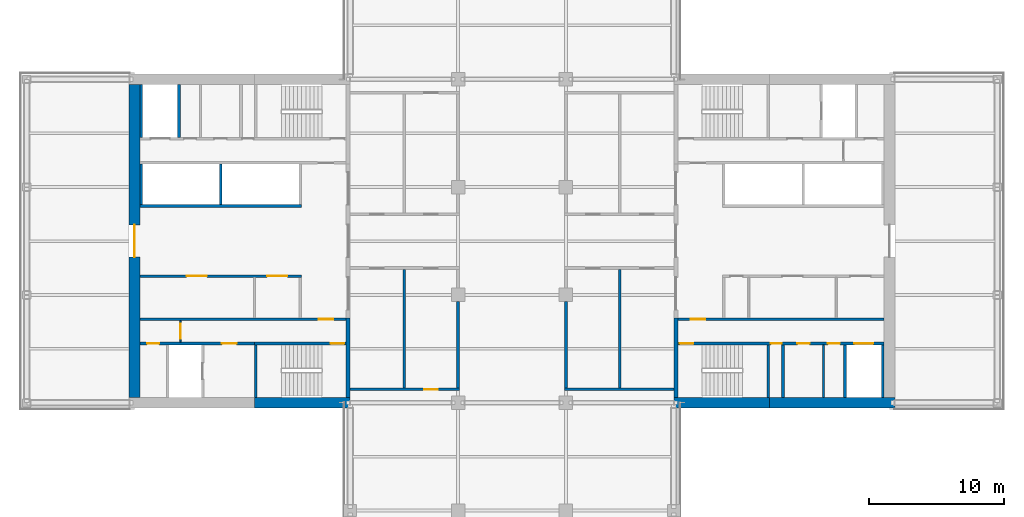
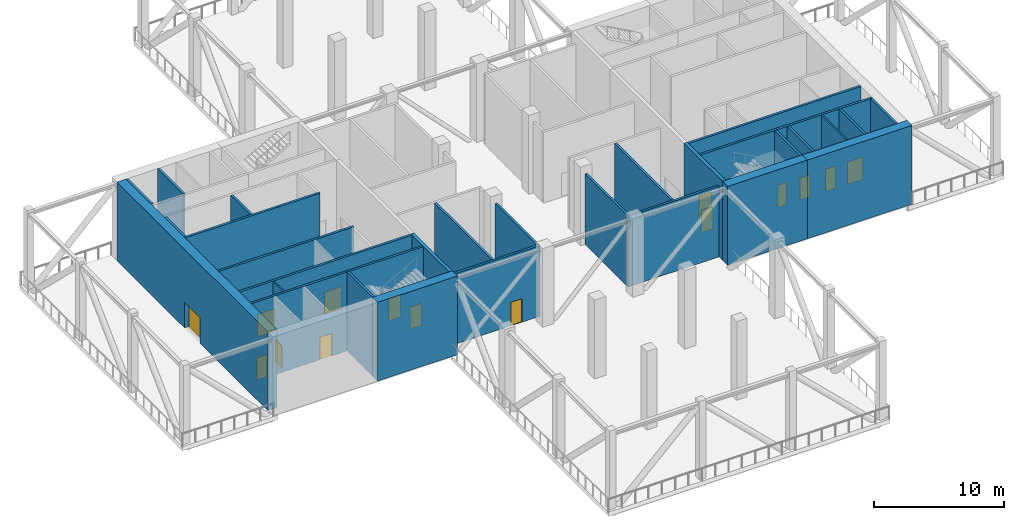
# One storey, part 4 of 18: 31 walls, 15 doors, 15 openings.
"""IFC4 building model written with IfcOpenShell, lengths in metres."""

from ifc_helpers import new_model, si_unit, direction, frame, frame_2d, origin, place, context, subcontext, project, spatial, rectangle, extrude, material, layer, layer_set, constituent, constituent_set, type_object, element, fill, save


model = new_model("IFC4")

# Units and contexts
model_context = context("Model", 3, precision=1e-05, world=origin(), true_north=direction((0.0, 1.0)))
body_context = subcontext(model_context, "Body", "Model", "MODEL_VIEW")
ifc_project = project(units=[si_unit("LENGTHUNIT", "METRE"), si_unit("AREAUNIT", "SQUARE_METRE"), si_unit("VOLUMEUNIT", "CUBIC_METRE"), si_unit("PLANEANGLEUNIT", "RADIAN"), si_unit("MASSUNIT", "GRAM", prefix="KILO")], contexts=[model_context])

# Site, building, storey
site_placement = place(None, origin())
site = spatial("IfcSite", under=ifc_project, at=site_placement, CompositionType="ELEMENT")
building_placement = place(site_placement, origin())
building = spatial("IfcBuilding", under=site, at=building_placement, Name="Crosswind Convention Tower", CompositionType="ELEMENT")
storey_placement = place(building_placement, frame((0.0, 0.0, 105.300048828125)))
storey = spatial("IfcBuildingStorey", under=building, at=storey_placement, Name="L21", CompositionType="ELEMENT", Elevation=105.300048828125)

# Wall
ifc_material_1 = material(Name="Concrete blockwork", Category="masonry")
ifc_layer_1 = layer(ifc_material_1, 0.199951171875)
ifc_layer_set_1 = layer_set([ifc_layer_1], Name="Blockwork partition wall 200")
wall_type_1 = type_object("IfcWallType", Name="Blockwork partition wall 200", PredefinedType="PARTITIONING", material=ifc_layer_set_1)
wall_1_placement = place(storey_placement, frame((145.10009765625, 88.39990234375, 0.0), z_axis=(0.0, 0.0, 1.0), x_axis=(0.0, 1.0, 0.0)))
element("IfcWall", 1, at=wall_1_placement, inside=storey, type_object=wall_type_1, Name="Wall MRSE E L21", PredefinedType="PARTITIONING", context=body_context, shape_type="SweptSolid", body=[
    extrude(rectangle(XDim=3.900146484375, YDim=0.199951171875, at=frame_2d((1.9501953125, 0.0))), origin(), (0.0, 0.0, 1.0), 7.39990234375),
])

# Wall, opening, door
ifc_layer_2 = layer(ifc_material_1, 0.199951171875)
ifc_layer_set_2 = layer_set([ifc_layer_2], Name="COMPARTMENT WALL 200")
wall_type_2 = type_object("IfcWallType", Name="COMPARTMENT WALL 200", PredefinedType="SOLIDWALL", material=ifc_layer_set_2)
wall_2_placement = place(storey_placement, frame((113.0, 89.0, 0.0), z_axis=(0.0, 0.0, 1.0), x_axis=(1.0, 0.0, 0.0)))
wall_2 = element("IfcWall", 2, at=wall_2_placement, inside=storey, type_object=wall_type_2, Name="Compartment Wall 1", PredefinedType="SOLIDWALL", context=body_context, shape_type="SweptSolid", body=[
    extrude(rectangle(XDim=8.10009765625, YDim=0.199951171875, at=frame_2d((4.050048828125, 0.0))), origin(), (0.0, 0.0, 1.0), 6.6396484375),
])
opening_1_placement = place(wall_2_placement, frame((5.5, 0.0, 0.0)))
opening_1 = element("IfcOpeningElement", 3, at=opening_1_placement, cuts=wall_2, Name="Opening 21.010", PredefinedType="OPENING", context=body_context, shape_type="SweptSolid", body=[
    extrude(rectangle(XDim=1.0, YDim=2.199951171875, at=frame_2d((0.5, 1.10009765625))), frame((0.0, 0.10986328125, 0.0), z_axis=(0.0, -1.0, 0.0), x_axis=(1.0, 0.0, 0.0)), (0.0, 0.0, 1.0), 0.219970703125),
])
ifc_material_2 = material(Name="Steel fire door", Category="steel")
door_type_1 = type_object("IfcDoorType", Name="PLANT ROOM DOOR 1000X2200", OperationType="NOTDEFINED", PredefinedType="DOOR", material=ifc_material_2)
door_1_placement = place(opening_1_placement, origin())
door_1 = element("IfcDoor", 4, at=door_1_placement, inside=storey, type_object=door_type_1, Name="Door 21.010", ObjectType="D6", OperationType="SINGLE_SWING_RIGHT", OverallHeight=2.199951171875, OverallWidth=1.0, PredefinedType="DOOR", context=body_context, shape_type="SweptSolid", body=[
    extrude(rectangle(XDim=1.0, YDim=2.199951171875, at=frame_2d((0.5, 1.10009765625))), frame((0.0, 0.02490234375, 0.0), z_axis=(0.0, -1.0, 0.0), x_axis=(1.0, 0.0, 0.0)), (0.0, 0.0, 1.0), 0.050048828125),
])
fill(opening_1, door_1)

# Walls
wall_3_placement = place(storey_placement, frame((128.89990234375, 89.0, 0.0), z_axis=(0.0, 0.0, 1.0), x_axis=(1.0, 0.0, 0.0)))
element("IfcWall", 5, at=wall_3_placement, inside=storey, type_object=wall_type_2, Name="Compartment Wall 2", PredefinedType="SOLIDWALL", context=body_context, shape_type="SweptSolid", body=[
    extrude(rectangle(XDim=8.10009765625, YDim=0.199951171875, at=frame_2d((4.050048828125, 0.0))), origin(), (0.0, 0.0, 1.0), 6.6396484375),
])
wall_4_placement = place(storey_placement, frame((117.0, 89.10009765625, 0.0), z_axis=(0.0, 0.0, 1.0), x_axis=(0.0, 1.0, 0.0)))
element("IfcWall", 6, at=wall_4_placement, inside=storey, type_object=wall_type_2, Name="Compartment Wall 9", PredefinedType="SOLIDWALL", context=body_context, shape_type="SweptSolid", body=[
    extrude(rectangle(XDim=8.7998046875, YDim=0.199951171875, at=frame_2d((4.39990234375, 0.0))), origin(), (0.0, 0.0, 1.0), 6.63623046875),
])
for number, where, z_axis, x_axis, name in (
    (7, (121.0, 89.10009765625, 0.0), (0.0, 0.0, 1.0), (0.0, 1.0, 0.0), "Compartment Wall 11"),
    (8, (129.0, 89.10009765625, 0.0), (0.0, 0.0, 1.0), (0.0, 1.0, 0.0), "Compartment Wall 15"),
):
    element("IfcWall", number, at=place(storey_placement, frame(where, z_axis=z_axis, x_axis=x_axis)), inside=storey, type_object=wall_type_2, Name=name, PredefinedType="SOLIDWALL", context=body_context, shape_type="SweptSolid", body=[
        extrude(rectangle(XDim=6.39990234375, YDim=0.199951171875, at=frame_2d((3.199951171875, 0.0))), origin(), (0.0, 0.0, 1.0), 6.6396484375),
    ])
wall_5_placement = place(storey_placement, frame((133.0, 89.10009765625, 0.0), z_axis=(0.0, 0.0, 1.0), x_axis=(0.0, 1.0, 0.0)))
element("IfcWall", 9, at=wall_5_placement, inside=storey, type_object=wall_type_2, Name="Compartment Wall 19", PredefinedType="SOLIDWALL", context=body_context, shape_type="SweptSolid", body=[
    extrude(rectangle(XDim=8.7998046875, YDim=0.199951171875, at=frame_2d((4.39990234375, 0.0))), origin(), (0.0, 0.0, 1.0), 6.63623046875),
])

# Wall, opening, door
ifc_material_3 = material(Name="Concrete C60/75", Category="concrete")
ifc_layer_3 = layer(ifc_material_3, 0.800048828125)
ifc_layer_set_3 = layer_set([ifc_layer_3], Name="Concrete C60/75")
wall_type_3 = type_object("IfcWallType", Name="Concrete core wall 800", PredefinedType="SHEAR", material=ifc_layer_set_3)
wall_6_placement = place(storey_placement, frame((97.0, 111.60009765625, 0.0), z_axis=(0.0, 0.0, 1.0), x_axis=(0.0, -1.0, 0.0)))
wall_6 = element("IfcWall", 10, at=wall_6_placement, inside=storey, type_object=wall_type_3, Name="Wall O W L21", PredefinedType="SHEAR", context=body_context, shape_type="SweptSolid", body=[
    extrude(rectangle(XDim=23.2001953125, YDim=0.800048828125, at=frame_2d((11.60009765625, 0.0))), origin(), (0.0, 0.0, 1.0), 7.39990234375),
])
opening_2_placement = place(wall_6_placement, frame((10.39990234375, 0.0, 0.0)))
opening_2 = element("IfcOpeningElement", 11, at=opening_2_placement, cuts=wall_6, Name="Opening D100", PredefinedType="OPENING", context=body_context, shape_type="SweptSolid", body=[
    extrude(rectangle(XDim=2.39990234375, YDim=2.39990234375, at=frame_2d((1.199951171875, 1.199951171875))), frame((0.0, 0.409912109375, 0.0), z_axis=(0.0, -1.0, 0.0), x_axis=(1.0, 0.0, 0.0)), (0.0, 0.0, 1.0), 0.820068359375),
])
ifc_material_4 = material(Name="Steel fire door with glazed vision panels", Category="steel")
door_type_2 = type_object("IfcDoorType", Name="Fire-rated double door 2400x2400", OperationType="DOUBLE_DOOR_SINGLE_SWING", PredefinedType="DOOR", material=ifc_material_4)
door_2_placement = place(opening_2_placement, origin())
door_2 = element("IfcDoor", 12, at=door_2_placement, inside=storey, type_object=door_type_2, Name="Lobby outer door L21", ObjectType="D100", OperationType="DOUBLE_DOOR_SINGLE_SWING", OverallHeight=2.39990234375, OverallWidth=2.39990234375, PredefinedType="DOOR", context=body_context, shape_type="SweptSolid", body=[
    extrude(rectangle(XDim=2.39990234375, YDim=2.39990234375, at=frame_2d((1.199951171875, 1.199951171875))), frame((0.0, 0.02490234375, 0.0), z_axis=(0.0, -1.0, 0.0), x_axis=(1.0, 0.0, 0.0)), (0.0, 0.0, 1.0), 0.050048828125),
])
fill(opening_2, door_2)

# Walls
ifc_material_5 = material(Name="Concrete C50/60", Category="concrete")
ifc_layer_4 = layer(ifc_material_5, 0.300048828125)
ifc_layer_set_4 = layer_set([ifc_layer_4], Name="Concrete C50/60")
wall_type_4 = type_object("IfcWallType", Name="Concrete inner core wall 300", PredefinedType="SHEAR", material=ifc_layer_set_4)
for number, where, z_axis, x_axis, name in (
    (13, (137.14990234375, 88.39990234375, 0.0), (0.0, 0.0, 1.0), (0.0, 1.0, 0.0), "Wall EM E L21"),
    (14, (112.85009765625, 94.300048828125, 0.0), (0.0, 0.0, 1.0), (0.0, -1.0, 0.0), "Wall EP W L21"),
):
    element("IfcWall", number, at=place(storey_placement, frame(where, z_axis=z_axis, x_axis=x_axis)), inside=storey, type_object=wall_type_4, Name=name, PredefinedType="SHEAR", context=body_context, shape_type="SweptSolid", body=[
        extrude(rectangle(XDim=5.900146484375, YDim=0.300048828125, at=frame_2d((2.9501953125, 0.0))), origin(), (0.0, 0.0, 1.0), 7.39990234375),
    ])

# Wall, opening, door
ifc_layer_5 = layer(ifc_material_5, 0.199951171875)
ifc_layer_set_5 = layer_set([ifc_layer_5], Name="Concrete C50/60")
wall_type_5 = type_object("IfcWallType", Name="Concrete shaft and stair wall 200", PredefinedType="SHEAR", material=ifc_layer_set_5)
wall_7_placement = place(storey_placement, frame((137.300048828125, 94.199951171875, 0.0), z_axis=(0.0, 0.0, 1.0), x_axis=(1.0, 0.0, 0.0)))
wall_7 = element("IfcWall", 15, at=wall_7_placement, inside=storey, type_object=wall_type_5, Name="Wall HM E L21", PredefinedType="SHEAR", context=body_context, shape_type="SweptSolid", body=[
    extrude(rectangle(XDim=15.300048828125, YDim=0.199951171875, at=frame_2d((7.64990234375, 0.0))), origin(), (0.0, 0.0, 1.0), 7.39990234375),
])
opening_3_placement = place(wall_7_placement, frame((0.949951171875, 0.0, 0.0)))
opening_3 = element("IfcOpeningElement", 16, at=opening_3_placement, cuts=wall_7, Name="Opening D104", PredefinedType="OPENING", context=body_context, shape_type="SweptSolid", body=[
    extrude(rectangle(XDim=1.10009765625, YDim=2.10009765625, at=frame_2d((0.550048828125, 1.050048828125))), frame((0.0, 0.10986328125, 0.0), z_axis=(0.0, -1.0, 0.0), x_axis=(1.0, 0.0, 0.0)), (0.0, 0.0, 1.0), 0.219970703125),
])
door_type_3 = type_object("IfcDoorType", Name="Fire-rated single door 1100x2100", OperationType="NOTDEFINED", PredefinedType="DOOR", material=ifc_material_2)
door_3_placement = place(opening_3_placement, origin())
door_3 = element("IfcDoor", 17, at=door_3_placement, inside=storey, type_object=door_type_3, Name="Corridor door L21", ObjectType="D104", OperationType="SINGLE_SWING_LEFT", OverallHeight=2.10009765625, OverallWidth=1.10009765625, PredefinedType="DOOR", context=body_context, shape_type="SweptSolid", body=[
    extrude(rectangle(XDim=1.10009765625, YDim=2.10009765625, at=frame_2d((0.550048828125, 1.050048828125))), frame((0.0, 0.02490234375, 0.0), z_axis=(0.0, -1.0, 0.0), x_axis=(1.0, 0.0, 0.0)), (0.0, 0.0, 1.0), 0.050048828125),
])
fill(opening_3, door_3)

# Walls
for number, where, z_axis, x_axis, name in (
    (18, (144.0, 88.39990234375, 0.0), (0.0, 0.0, 1.0), (0.0, 1.0, 0.0), "Wall MSE E L21"),
    (19, (149.699951171875, 88.39990234375, 0.0), (0.0, 0.0, 1.0), (0.0, 1.0, 0.0), "Wall MFSW E L21"),
    (20, (152.5, 88.39990234375, 0.0), (0.0, 0.0, 1.0), (0.0, 1.0, 0.0), "Wall MFSE E L21"),
):
    element("IfcWall", number, at=place(storey_placement, frame(where, z_axis=z_axis, x_axis=x_axis)), inside=storey, type_object=wall_type_5, Name=name, PredefinedType="SHEAR", context=body_context, shape_type="SweptSolid", body=[
        extrude(rectangle(XDim=3.900146484375, YDim=0.199951171875, at=frame_2d((1.9501953125, 0.0))), origin(), (0.0, 0.0, 1.0), 7.39990234375),
    ])

# Wall, opening, door
wall_8_placement = place(storey_placement, frame((137.300048828125, 92.39990234375, 0.0), z_axis=(0.0, 0.0, 1.0), x_axis=(1.0, 0.0, 0.0)))
wall_8 = element("IfcWall", 21, at=wall_8_placement, inside=storey, type_object=wall_type_5, Name="Wall MCW E L21", PredefinedType="SHEAR", context=body_context, shape_type="SweptSolid", body=[
    extrude(rectangle(XDim=6.800048828125, YDim=0.199951171875, at=frame_2d((3.39990234375, 0.0))), origin(), (0.0, 0.0, 1.0), 7.39990234375),
])
opening_4_placement = place(wall_8_placement, frame((0.14990234375, 0.0, 0.0)))
opening_4 = element("IfcOpeningElement", 22, at=opening_4_placement, cuts=wall_8, Name="Opening D103", PredefinedType="OPENING", context=body_context, shape_type="SweptSolid", body=[
    extrude(rectangle(XDim=1.0, YDim=2.10009765625, at=frame_2d((0.5, 1.050048828125))), frame((0.0, 0.10986328125, 0.0), z_axis=(0.0, -1.0, 0.0), x_axis=(1.0, 0.0, 0.0)), (0.0, 0.0, 1.0), 0.219970703125),
])
door_type_4 = type_object("IfcDoorType", Name="Fire-rated single door 1000x2100", OperationType="NOTDEFINED", PredefinedType="DOOR", material=ifc_material_2)
door_4_placement = place(opening_4_placement, frame((1.0, 0.0, 0.0), z_axis=(0.0, 0.0, 1.0), x_axis=(-1.0, 0.0, 0.0)))
door_4 = element("IfcDoor", 23, at=door_4_placement, inside=storey, type_object=door_type_4, Name="Stair ST2 door L21", ObjectType="D103", OperationType="SINGLE_SWING_RIGHT", OverallHeight=2.10009765625, OverallWidth=1.0, PredefinedType="DOOR", context=body_context, shape_type="SweptSolid", body=[
    extrude(rectangle(XDim=1.0, YDim=2.10009765625, at=frame_2d((0.5, 1.050048828125))), frame((0.0, 0.02490234375, 0.0), z_axis=(0.0, -1.0, 0.0), x_axis=(1.0, 0.0, 0.0)), (0.0, 0.0, 1.0), 0.050048828125),
])
fill(opening_4, door_4)

# Wall, openings, doors
wall_9_placement = place(storey_placement, frame((144.10009765625, 92.39990234375, 0.0), z_axis=(0.0, 0.0, 1.0), x_axis=(1.0, 0.0, 0.0)))
wall_9 = element("IfcWall", 24, at=wall_9_placement, inside=storey, type_object=wall_type_5, Name="Wall MCX E L21", PredefinedType="SHEAR", context=body_context, shape_type="SweptSolid", body=[
    extrude(rectangle(XDim=8.5, YDim=0.199951171875, at=frame_2d((4.25, 0.0))), origin(), (0.0, 0.0, 1.0), 7.39990234375),
])
opening_5_placement = place(wall_9_placement, frame((0.10009765625, 0.0, 0.0)))
opening_5 = element("IfcOpeningElement", 25, at=opening_5_placement, cuts=wall_9, Name="Opening D105", PredefinedType="OPENING", context=body_context, shape_type="SweptSolid", body=[
    extrude(rectangle(XDim=0.800048828125, YDim=2.10009765625, at=frame_2d((0.39990234375, 1.050048828125))), frame((0.0, 0.10986328125, 0.0), z_axis=(0.0, -1.0, 0.0), x_axis=(1.0, 0.0, 0.0)), (0.0, 0.0, 1.0), 0.219970703125),
])
opening_6_placement = place(wall_9_placement, frame((2.07080078125, 0.0, 0.0)))
opening_6 = element("IfcOpeningElement", 26, at=opening_6_placement, cuts=wall_9, Name="Opening D106", PredefinedType="OPENING", context=body_context, shape_type="SweptSolid", body=[
    extrude(rectangle(XDim=0.89990234375, YDim=2.10009765625, at=frame_2d((0.449951171875, 1.050048828125))), frame((0.0, 0.10986328125, 0.0), z_axis=(0.0, -1.0, 0.0), x_axis=(1.0, 0.0, 0.0)), (0.0, 0.0, 1.0), 0.219970703125),
])
opening_7_placement = place(wall_9_placement, frame((4.333251953125, 0.0, 0.0)))
opening_7 = element("IfcOpeningElement", 27, at=opening_7_placement, cuts=wall_9, Name="Opening D106", PredefinedType="OPENING", context=body_context, shape_type="SweptSolid", body=[
    extrude(rectangle(XDim=0.89990234375, YDim=2.10009765625, at=frame_2d((0.449951171875, 1.050048828125))), frame((0.0, 0.10986328125, 0.0), z_axis=(0.0, -1.0, 0.0), x_axis=(1.0, 0.0, 0.0)), (0.0, 0.0, 1.0), 0.219970703125),
])
opening_8_placement = place(wall_9_placement, frame((6.300048828125, 0.0, 0.0)))
opening_8 = element("IfcOpeningElement", 28, at=opening_8_placement, cuts=wall_9, Name="Opening LD2", PredefinedType="OPENING", context=body_context, shape_type="SweptSolid", body=[
    extrude(rectangle(XDim=1.39990234375, YDim=2.10009765625, at=frame_2d((0.699951171875, 1.050048828125))), frame((0.0, 0.10986328125, 0.0), z_axis=(0.0, -1.0, 0.0), x_axis=(1.0, 0.0, 0.0)), (0.0, 0.0, 1.0), 0.219970703125),
])
ifc_material_6 = material(Name="Stainless steel", Category="steel")
door_type_5 = type_object("IfcDoorType", Name="Lift landing door 1400x2100", OperationType="DOUBLE_DOOR_SLIDING", PredefinedType="DOOR", material=ifc_material_6)
door_5_placement = place(opening_8_placement, origin())
door_5 = element("IfcDoor", 29, at=door_5_placement, inside=storey, type_object=door_type_5, Name="Landing door SV1 L21", ObjectType="LD2", OperationType="DOUBLE_DOOR_SLIDING", OverallHeight=2.10009765625, OverallWidth=1.39990234375, PredefinedType="DOOR", context=body_context, shape_type="SweptSolid", body=[
    extrude(rectangle(XDim=1.39990234375, YDim=2.10009765625, at=frame_2d((0.699951171875, 1.050048828125))), frame((0.0, 0.02490234375, 0.0), z_axis=(0.0, -1.0, 0.0), x_axis=(1.0, 0.0, 0.0)), (0.0, 0.0, 1.0), 0.050048828125),
])
fill(opening_8, door_5)
door_type_6 = type_object("IfcDoorType", Name="Riser access door 800x2100", OperationType="NOTDEFINED", PredefinedType="DOOR", material=ifc_material_2)
door_6_placement = place(opening_5_placement, frame((0.800048828125, 0.0, 0.0), z_axis=(0.0, 0.0, 1.0), x_axis=(-1.0, 0.0, 0.0)))
door_6 = element("IfcDoor", 30, at=door_6_placement, inside=storey, type_object=door_type_6, Name="Riser door L21", ObjectType="D105", OperationType="SINGLE_SWING_LEFT", OverallHeight=2.10009765625, OverallWidth=0.800048828125, PredefinedType="DOOR", context=body_context, shape_type="SweptSolid", body=[
    extrude(rectangle(XDim=0.800048828125, YDim=2.10009765625, at=frame_2d((0.39990234375, 1.050048828125))), frame((0.0, 0.02490234375, 0.0), z_axis=(0.0, -1.0, 0.0), x_axis=(1.0, 0.0, 0.0)), (0.0, 0.0, 1.0), 0.050048828125),
])
fill(opening_5, door_6)
ifc_material_7 = material(Name="Timber door", Category="wood")
door_type_7 = type_object("IfcDoorType", Name="Single leaf door 900x2100", OperationType="NOTDEFINED", PredefinedType="DOOR", material=ifc_material_7)
door_7_placement = place(opening_6_placement, frame((0.89990234375, 0.0, 0.0), z_axis=(0.0, 0.0, 1.0), x_axis=(-1.0, 0.0, 0.0)))
door_7 = element("IfcDoor", 31, at=door_7_placement, inside=storey, type_object=door_type_7, Name="Door to pump room L21", ObjectType="D106", OperationType="SINGLE_SWING_LEFT", OverallHeight=2.10009765625, OverallWidth=0.89990234375, PredefinedType="DOOR", context=body_context, shape_type="SweptSolid", body=[
    extrude(rectangle(XDim=0.89990234375, YDim=2.10009765625, at=frame_2d((0.449951171875, 1.050048828125))), frame((0.0, 0.02490234375, 0.0), z_axis=(0.0, -1.0, 0.0), x_axis=(1.0, 0.0, 0.0)), (0.0, 0.0, 1.0), 0.050048828125),
])
fill(opening_6, door_7)
door_8_placement = place(opening_7_placement, frame((0.89990234375, 0.0, 0.0), z_axis=(0.0, 0.0, 1.0), x_axis=(-1.0, 0.0, 0.0)))
door_8 = element("IfcDoor", 32, at=door_8_placement, inside=storey, type_object=door_type_7, Name="Door to plant room L21", ObjectType="D106", OperationType="SINGLE_SWING_LEFT", OverallHeight=2.10009765625, OverallWidth=0.89990234375, PredefinedType="DOOR", context=body_context, shape_type="SweptSolid", body=[
    extrude(rectangle(XDim=0.89990234375, YDim=2.10009765625, at=frame_2d((0.449951171875, 1.050048828125))), frame((0.0, 0.02490234375, 0.0), z_axis=(0.0, -1.0, 0.0), x_axis=(1.0, 0.0, 0.0)), (0.0, 0.0, 1.0), 0.050048828125),
])
fill(opening_7, door_8)

wall_10_placement = place(storey_placement, frame((109.39990234375, 97.39990234375, 0.0), z_axis=(0.0, 0.0, 1.0), x_axis=(-1.0, 0.0, 0.0)))
wall_10 = element("IfcWall", 33, at=wall_10_placement, inside=storey, type_object=wall_type_5, Name="Wall RPFRONT W L21", PredefinedType="SHEAR", context=body_context, shape_type="SweptSolid", body=[
    extrude(rectangle(XDim=12.0, YDim=0.199951171875, at=frame_2d((6.0, 0.0))), origin(), (0.0, 0.0, 1.0), 7.39990234375),
])
opening_9_placement = place(wall_10_placement, frame((1.07080078125, 0.0, 0.0)))
opening_9 = element("IfcOpeningElement", 34, at=opening_9_placement, cuts=wall_10, Name="Opening D108", PredefinedType="OPENING", context=body_context, shape_type="SweptSolid", body=[
    extrude(rectangle(XDim=1.5, YDim=2.10009765625, at=frame_2d((0.75, 1.050048828125))), frame((0.0, 0.10986328125, 0.0), z_axis=(0.0, -1.0, 0.0), x_axis=(1.0, 0.0, 0.0)), (0.0, 0.0, 1.0), 0.219970703125),
])
opening_10_placement = place(wall_10_placement, frame((7.033203125, 0.0, 0.0)))
opening_10 = element("IfcOpeningElement", 35, at=opening_10_placement, cuts=wall_10, Name="Opening D108", PredefinedType="OPENING", context=body_context, shape_type="SweptSolid", body=[
    extrude(rectangle(XDim=1.5, YDim=2.10009765625, at=frame_2d((0.75, 1.050048828125))), frame((0.0, 0.10986328125, 0.0), z_axis=(0.0, -1.0, 0.0), x_axis=(1.0, 0.0, 0.0)), (0.0, 0.0, 1.0), 0.219970703125),
])
door_type_8 = type_object("IfcDoorType", Name="Plant room double door 1500x2100", OperationType="DOUBLE_DOOR_SINGLE_SWING", PredefinedType="DOOR", material=ifc_material_2)
door_9_placement = place(opening_9_placement, origin())
door_9 = element("IfcDoor", 36, at=door_9_placement, inside=storey, type_object=door_type_8, Name="Door to plant room L21", ObjectType="D108", OperationType="DOUBLE_DOOR_SINGLE_SWING", OverallHeight=2.10009765625, OverallWidth=1.5, PredefinedType="DOOR", context=body_context, shape_type="SweptSolid", body=[
    extrude(rectangle(XDim=1.5, YDim=2.10009765625, at=frame_2d((0.75, 1.050048828125))), frame((0.0, 0.02490234375, 0.0), z_axis=(0.0, -1.0, 0.0), x_axis=(1.0, 0.0, 0.0)), (0.0, 0.0, 1.0), 0.050048828125),
])
fill(opening_9, door_9)
door_10_placement = place(opening_10_placement, origin())
door_10 = element("IfcDoor", 37, at=door_10_placement, inside=storey, type_object=door_type_8, Name="Door to electrical plant room L21", ObjectType="D108", OperationType="DOUBLE_DOOR_SINGLE_SWING", OverallHeight=2.10009765625, OverallWidth=1.5, PredefinedType="DOOR", context=body_context, shape_type="SweptSolid", body=[
    extrude(rectangle(XDim=1.5, YDim=2.10009765625, at=frame_2d((0.75, 1.050048828125))), frame((0.0, 0.02490234375, 0.0), z_axis=(0.0, -1.0, 0.0), x_axis=(1.0, 0.0, 0.0)), (0.0, 0.0, 1.0), 0.050048828125),
])
fill(opening_10, door_10)

# Walls
for number, where, z_axis, x_axis, name in (
    (38, (103.39990234375, 105.699951171875, 0.0), (0.0, 0.0, 1.0), (0.0, -1.0, 0.0), "Wall RMSEP W L21"),
    (39, (97.5, 105.699951171875, 0.0), (0.0, 0.0, 1.0), (0.0, -1.0, 0.0), "Wall RMEAST W L21"),
):
    element("IfcWall", number, at=place(storey_placement, frame(where, z_axis=z_axis, x_axis=x_axis)), inside=storey, type_object=wall_type_5, Name=name, PredefinedType="SHEAR", context=body_context, shape_type="SweptSolid", body=[
        extrude(rectangle(XDim=3.0, YDim=0.199951171875, at=frame_2d((1.5, 0.0))), origin(), (0.0, 0.0, 1.0), 7.39990234375),
    ])
wall_11_placement = place(storey_placement, frame((109.39990234375, 102.60009765625, 0.0), z_axis=(0.0, 0.0, 1.0), x_axis=(-1.0, 0.0, 0.0)))
element("IfcWall", 40, at=wall_11_placement, inside=storey, type_object=wall_type_5, Name="Wall RMFRONT W L21", PredefinedType="SHEAR", context=body_context, shape_type="SweptSolid", body=[
    extrude(rectangle(XDim=12.0, YDim=0.199951171875, at=frame_2d((6.0, 0.0))), origin(), (0.0, 0.0, 1.0), 7.39990234375),
])

# Wall, opening, door
wall_12_placement = place(storey_placement, frame((112.699951171875, 94.199951171875, 0.0), z_axis=(0.0, 0.0, 1.0), x_axis=(-1.0, 0.0, 0.0)))
wall_12 = element("IfcWall", 41, at=wall_12_placement, inside=storey, type_object=wall_type_5, Name="Wall HP W L21", PredefinedType="SHEAR", context=body_context, shape_type="SweptSolid", body=[
    extrude(rectangle(XDim=15.300048828125, YDim=0.199951171875, at=frame_2d((7.64990234375, 0.0))), origin(), (0.0, 0.0, 1.0), 7.39990234375),
])
opening_11_placement = place(wall_12_placement, frame((0.949951171875, 0.0, 0.0)))
opening_11 = element("IfcOpeningElement", 42, at=opening_11_placement, cuts=wall_12, Name="Opening D104", PredefinedType="OPENING", context=body_context, shape_type="SweptSolid", body=[
    extrude(rectangle(XDim=1.10009765625, YDim=2.10009765625, at=frame_2d((0.550048828125, 1.050048828125))), frame((0.0, 0.10986328125, 0.0), z_axis=(0.0, -1.0, 0.0), x_axis=(1.0, 0.0, 0.0)), (0.0, 0.0, 1.0), 0.219970703125),
])
door_11_placement = place(opening_11_placement, origin())
door_11 = element("IfcDoor", 43, at=door_11_placement, inside=storey, type_object=door_type_3, Name="Corridor door L21", ObjectType="D104", OperationType="SINGLE_SWING_LEFT", OverallHeight=2.10009765625, OverallWidth=1.10009765625, PredefinedType="DOOR", context=body_context, shape_type="SweptSolid", body=[
    extrude(rectangle(XDim=1.10009765625, YDim=2.10009765625, at=frame_2d((0.550048828125, 1.050048828125))), frame((0.0, 0.02490234375, 0.0), z_axis=(0.0, -1.0, 0.0), x_axis=(1.0, 0.0, 0.0)), (0.0, 0.0, 1.0), 0.050048828125),
])
fill(opening_11, door_11)

# Wall
wall_13_placement = place(storey_placement, frame((106.0, 92.300048828125, 0.0), z_axis=(0.0, 0.0, 1.0), x_axis=(0.0, -1.0, 0.0)))
element("IfcWall", 44, at=wall_13_placement, inside=storey, type_object=wall_type_5, Name="Wall PSE W L21", PredefinedType="SHEAR", context=body_context, shape_type="SweptSolid", body=[
    extrude(rectangle(XDim=3.900146484375, YDim=0.199951171875, at=frame_2d((1.9501953125, 0.0))), origin(), (0.0, 0.0, 1.0), 7.39990234375),
])

# Wall, opening, door
wall_14_placement = place(storey_placement, frame((112.699951171875, 92.39990234375, 0.0), z_axis=(0.0, 0.0, 1.0), x_axis=(-1.0, 0.0, 0.0)))
wall_14 = element("IfcWall", 45, at=wall_14_placement, inside=storey, type_object=wall_type_5, Name="Wall PCW W L21", PredefinedType="SHEAR", context=body_context, shape_type="SweptSolid", body=[
    extrude(rectangle(XDim=6.800048828125, YDim=0.199951171875, at=frame_2d((3.39990234375, 0.0))), origin(), (0.0, 0.0, 1.0), 7.39990234375),
])
opening_12_placement = place(wall_14_placement, frame((0.14990234375, 0.0, 0.0)))
opening_12 = element("IfcOpeningElement", 46, at=opening_12_placement, cuts=wall_14, Name="Opening D103", PredefinedType="OPENING", context=body_context, shape_type="SweptSolid", body=[
    extrude(rectangle(XDim=1.0, YDim=2.10009765625, at=frame_2d((0.5, 1.050048828125))), frame((0.0, 0.10986328125, 0.0), z_axis=(0.0, -1.0, 0.0), x_axis=(1.0, 0.0, 0.0)), (0.0, 0.0, 1.0), 0.219970703125),
])
door_12_placement = place(opening_12_placement, origin())
door_12 = element("IfcDoor", 47, at=door_12_placement, inside=storey, type_object=door_type_4, Name="Stair ST3 door L21", ObjectType="D103", OperationType="SINGLE_SWING_LEFT", OverallHeight=2.10009765625, OverallWidth=1.0, PredefinedType="DOOR", context=body_context, shape_type="SweptSolid", body=[
    extrude(rectangle(XDim=1.0, YDim=2.10009765625, at=frame_2d((0.5, 1.050048828125))), frame((0.0, 0.02490234375, 0.0), z_axis=(0.0, -1.0, 0.0), x_axis=(1.0, 0.0, 0.0)), (0.0, 0.0, 1.0), 0.050048828125),
])
fill(opening_12, door_12)

# Wall, openings, doors
wall_15_placement = place(storey_placement, frame((105.89990234375, 92.39990234375, 0.0), z_axis=(0.0, 0.0, 1.0), x_axis=(-1.0, 0.0, 0.0)))
wall_15 = element("IfcWall", 48, at=wall_15_placement, inside=storey, type_object=wall_type_5, Name="Wall PCX W L21", PredefinedType="SHEAR", context=body_context, shape_type="SweptSolid", body=[
    extrude(rectangle(XDim=8.5, YDim=0.199951171875, at=frame_2d((4.25, 0.0))), origin(), (0.0, 0.0, 1.0), 7.39990234375),
])
opening_13_placement = place(wall_15_placement, frame((1.324951171875, 0.0, 0.0)))
opening_13 = element("IfcOpeningElement", 49, at=opening_13_placement, cuts=wall_15, Name="Opening D104", PredefinedType="OPENING", context=body_context, shape_type="SweptSolid", body=[
    extrude(rectangle(XDim=1.10009765625, YDim=2.10009765625, at=frame_2d((0.550048828125, 1.050048828125))), frame((0.0, 0.10986328125, 0.0), z_axis=(0.0, -1.0, 0.0), x_axis=(1.0, 0.0, 0.0)), (0.0, 0.0, 1.0), 0.219970703125),
])
opening_14_placement = place(wall_15_placement, frame((7.074951171875, 0.0, 0.0)))
opening_14 = element("IfcOpeningElement", 50, at=opening_14_placement, cuts=wall_15, Name="Opening D106", PredefinedType="OPENING", context=body_context, shape_type="SweptSolid", body=[
    extrude(rectangle(XDim=0.89990234375, YDim=2.10009765625, at=frame_2d((0.449951171875, 1.050048828125))), frame((0.0, 0.10986328125, 0.0), z_axis=(0.0, -1.0, 0.0), x_axis=(1.0, 0.0, 0.0)), (0.0, 0.0, 1.0), 0.219970703125),
])
door_13_placement = place(opening_13_placement, origin())
door_13 = element("IfcDoor", 51, at=door_13_placement, inside=storey, type_object=door_type_3, Name="Fire-fighting lobby FF2 door L21", ObjectType="D104", OperationType="SINGLE_SWING_RIGHT", OverallHeight=2.10009765625, OverallWidth=1.10009765625, PredefinedType="DOOR", context=body_context, shape_type="SweptSolid", body=[
    extrude(rectangle(XDim=1.10009765625, YDim=2.10009765625, at=frame_2d((0.550048828125, 1.050048828125))), frame((0.0, 0.02490234375, 0.0), z_axis=(0.0, -1.0, 0.0), x_axis=(1.0, 0.0, 0.0)), (0.0, 0.0, 1.0), 0.050048828125),
])
fill(opening_13, door_13)
door_14_placement = place(opening_14_placement, origin())
door_14 = element("IfcDoor", 52, at=door_14_placement, inside=storey, type_object=door_type_7, Name="Door to plant room L21", ObjectType="D106", OperationType="SINGLE_SWING_RIGHT", OverallHeight=2.10009765625, OverallWidth=0.89990234375, PredefinedType="DOOR", context=body_context, shape_type="SweptSolid", body=[
    extrude(rectangle(XDim=0.89990234375, YDim=2.10009765625, at=frame_2d((0.449951171875, 1.050048828125))), frame((0.0, 0.02490234375, 0.0), z_axis=(0.0, -1.0, 0.0), x_axis=(1.0, 0.0, 0.0)), (0.0, 0.0, 1.0), 0.050048828125),
])
fill(opening_14, door_14)

# Walls
for number, where, z_axis, x_axis, name in (
    (53, (100.300048828125, 111.60009765625, 0.0), (0.0, 0.0, 1.0), (0.0, -1.0, 0.0), "Wall MFSW W L21"),
    (54, (97.5, 111.60009765625, 0.0), (0.0, 0.0, 1.0), (0.0, -1.0, 0.0), "Wall MFSE W L21"),
):
    element("IfcWall", number, at=place(storey_placement, frame(where, z_axis=z_axis, x_axis=x_axis)), inside=storey, type_object=wall_type_5, Name=name, PredefinedType="SHEAR", context=body_context, shape_type="SweptSolid", body=[
        extrude(rectangle(XDim=3.900146484375, YDim=0.199951171875, at=frame_2d((1.9501953125, 0.0))), origin(), (0.0, 0.0, 1.0), 7.39990234375),
    ])
ifc_material_8 = material(Name="Gypsum plasterboard partition", Category="gypsum")
ifc_layer_6 = layer(ifc_material_8, 0.125)
ifc_layer_set_6 = layer_set([ifc_layer_6], Name="Drywall partition wall 125")
wall_type_6 = type_object("IfcWallType", Name="Drywall partition wall 125", PredefinedType="PARTITIONING", material=ifc_layer_set_6)
wall_16_placement = place(storey_placement, frame((148.10400390625, 88.39990234375, 0.0), z_axis=(0.0, 0.0, 1.0), x_axis=(0.0, 1.0, 0.0)))
element("IfcWall", 55, at=wall_16_placement, inside=storey, type_object=wall_type_6, Name="Wall MWP1 E L21", PredefinedType="PARTITIONING", context=body_context, shape_type="SweptSolid", body=[
    extrude(rectangle(XDim=3.900146484375, YDim=0.125, at=frame_2d((1.9501953125, 0.0))), origin(), (0.0, 0.0, 1.0), 7.39990234375),
])

# Wall, opening, door
wall_17_placement = place(storey_placement, frame((100.39990234375, 94.10009765625, 0.0), z_axis=(0.0, 0.0, 1.0), x_axis=(0.0, -1.0, 0.0)))
wall_17 = element("IfcWall", 56, at=wall_17_placement, inside=storey, type_object=wall_type_6, Name="Wall PXC1 W L21", PredefinedType="PARTITIONING", context=body_context, shape_type="SweptSolid", body=[
    extrude(rectangle(XDim=1.60009765625, YDim=0.125, at=frame_2d((0.800048828125, 0.0))), origin(), (0.0, 0.0, 1.0), 7.39990234375),
])
opening_15_placement = place(wall_17_placement, frame((0.25, 0.0, 0.0)))
opening_15 = element("IfcOpeningElement", 57, at=opening_15_placement, cuts=wall_17, Name="Opening D104", PredefinedType="OPENING", context=body_context, shape_type="SweptSolid", body=[
    extrude(rectangle(XDim=1.10009765625, YDim=2.10009765625, at=frame_2d((0.550048828125, 1.050048828125))), frame((0.0, 0.072509765625, 0.0), z_axis=(0.0, -1.0, 0.0), x_axis=(1.0, 0.0, 0.0)), (0.0, 0.0, 1.0), 0.14501953125),
])
door_15_placement = place(opening_15_placement, origin())
door_15 = element("IfcDoor", 58, at=door_15_placement, inside=storey, type_object=door_type_3, Name="Corridor smoke door L21", ObjectType="D104", OperationType="SINGLE_SWING_RIGHT", OverallHeight=2.10009765625, OverallWidth=1.10009765625, PredefinedType="DOOR", context=body_context, shape_type="SweptSolid", body=[
    extrude(rectangle(XDim=1.10009765625, YDim=2.10009765625, at=frame_2d((0.550048828125, 1.050048828125))), frame((0.0, 0.02490234375, 0.0), z_axis=(0.0, -1.0, 0.0), x_axis=(1.0, 0.0, 0.0)), (0.0, 0.0, 1.0), 0.050048828125),
])
fill(opening_15, door_15)

# Walls
ifc_constituent_1 = constituent(ifc_material_3, Name="Structure")
ifc_material_9 = material(Name="Terracotta rainscreen", Category="ceramic")
ifc_constituent_2 = constituent(ifc_material_9, Name="Facing")
ifc_constituent_set = constituent_set(constituents=[ifc_constituent_1, ifc_constituent_2], Name="Concrete C60/75, Terracotta rainscreen")
wall_type_7 = type_object("IfcWallType", Name="Terracotta rainscreen on concrete core wall 800", PredefinedType="SHEAR", material=ifc_constituent_set)
wall_18_placement = place(storey_placement, frame((137.0, 88.0, 0.0), z_axis=(0.0, 0.0, 1.0), x_axis=(1.0, 0.0, 0.0)))
element("IfcWall", 59, at=wall_18_placement, inside=storey, type_object=wall_type_7, Name="Wall S1 E L21", PredefinedType="SHEAR", context=body_context, shape_type="SweptSolid", body=[
    extrude(rectangle(XDim=7.10009765625, YDim=0.800048828125, at=frame_2d((3.550048828125, 0.0))), origin(), (0.0, 0.0, 1.0), 7.39990234375),
])
wall_19_placement = place(storey_placement, frame((144.10009765625, 88.0, 0.0), z_axis=(0.0, 0.0, 1.0), x_axis=(1.0, 0.0, 0.0)))
element("IfcWall", 60, at=wall_19_placement, inside=storey, type_object=wall_type_7, Name="Wall S2 E L21", PredefinedType="SHEAR", context=body_context, shape_type="SweptSolid", body=[
    extrude(rectangle(XDim=9.2998046875, YDim=0.800048828125, at=frame_2d((4.64990234375, 0.0))), origin(), (0.0, 0.0, 1.0), 7.39990234375),
])
wall_20_placement = place(storey_placement, frame((113.0, 88.0, 0.0), z_axis=(0.0, 0.0, 1.0), x_axis=(-1.0, 0.0, 0.0)))
element("IfcWall", 61, at=wall_20_placement, inside=storey, type_object=wall_type_7, Name="Wall N1 W L21", PredefinedType="SHEAR", context=body_context, shape_type="SweptSolid", body=[
    extrude(rectangle(XDim=7.10009765625, YDim=0.800048828125, at=frame_2d((3.550048828125, 0.0))), origin(), (0.0, 0.0, 1.0), 7.39990234375),
])

save(model, "model.ifc")
